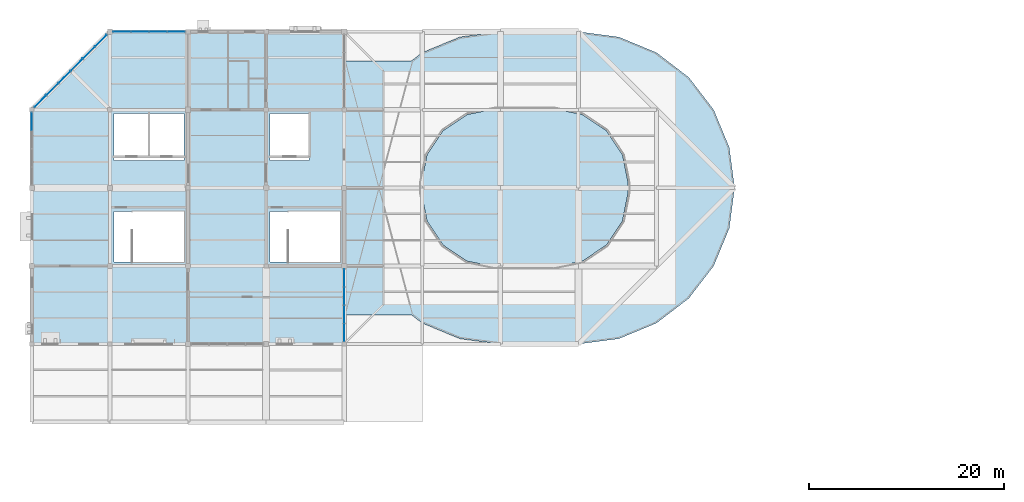
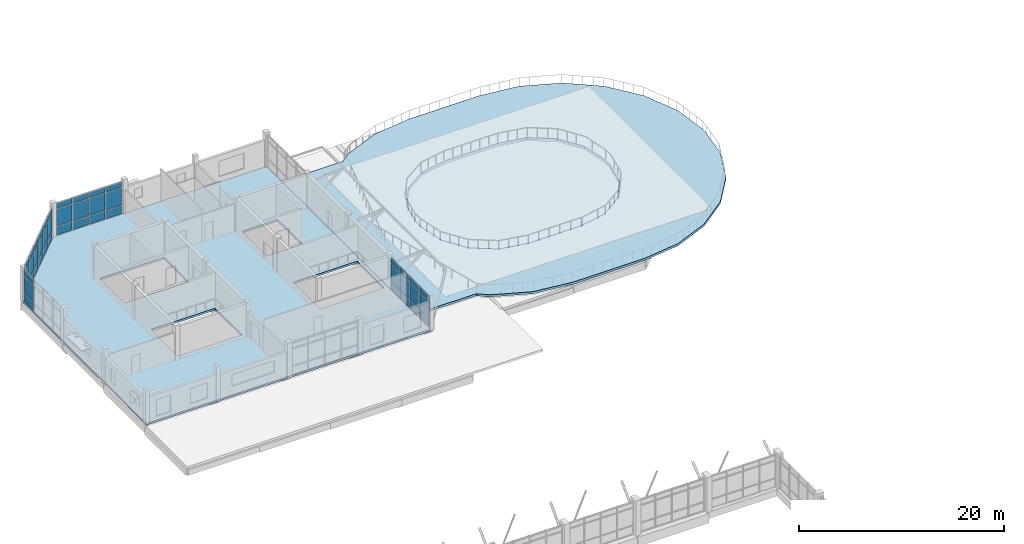
# One storey, part 36 of 44: 45 plates, 3 slabs, 4 elements without a shape of their own.
"""IFC4 building model written with IfcOpenShell, lengths in metres."""

from ifc_helpers import new_model, si_unit, direction, frame, origin, origin_2d, place, context, subcontext, project, spatial, polyline, rectangle, outline, extrude, material, layer, layer_set, type_object, element, aggregate, save


model = new_model("IFC4")

# Units and contexts
model_context = context("Model", 3, precision=1e-05, world=origin(), true_north=direction((0.0, 1.0)))
body_context = subcontext(model_context, "Body", "Model", "MODEL_VIEW")
ifc_project = project(units=[si_unit("LENGTHUNIT", "METRE"), si_unit("AREAUNIT", "SQUARE_METRE"), si_unit("VOLUMEUNIT", "CUBIC_METRE"), si_unit("PLANEANGLEUNIT", "RADIAN"), si_unit("MASSUNIT", "GRAM", prefix="KILO")], contexts=[model_context])

# Site, building, storey
site_placement = place(None, origin())
site = spatial("IfcSite", under=ifc_project, at=site_placement, CompositionType="ELEMENT")
building_placement = place(site_placement, origin())
building = spatial("IfcBuilding", under=site, at=building_placement, Name="Tenunan Teduh Sports Hall", CompositionType="ELEMENT")
storey_placement = place(building_placement, frame((0.0, 0.0, 19.199951171875)))
storey = spatial("IfcBuildingStorey", under=building, at=storey_placement, Name="L04", CompositionType="ELEMENT", Elevation=19.199951171875)

# Curtain wall, plates
ifc_material_1 = material(Name="Anodised aluminium", Category="aluminium")
curtain_wall_type = type_object("IfcCurtainWallType", Name="CW-UNIT-2", PredefinedType="NOTDEFINED", material=ifc_material_1)
curtain_wall_1_placement = place(storey_placement, origin())
curtain_wall_1 = element("IfcCurtainWall", 1, at=curtain_wall_1_placement, inside=storey, type_object=curtain_wall_type, Name="CW-CWM-175-L04-230", PredefinedType="NOTDEFINED")
ifc_material_2 = material(Name="Low-E laminated double glazing", Category="glass")
ifc_layer_1 = layer(ifc_material_2, 0.028076171875)
ifc_layer_set_1 = layer_set([ifc_layer_1], Name="Low-E laminated double glazing")
plate_type_1 = type_object("IfcPlateType", Name="CWP-GLZ-28", PredefinedType="CURTAIN_PANEL", material=ifc_layer_set_1)
plate_1_placement = place(storey_placement, frame((38.0, 87.1787109375, 1.1328125), z_axis=(0.0, 0.0, 1.0), x_axis=(0.0, 1.0, 0.0)))
plate_1 = element("IfcPlate", 2, at=plate_1_placement, type_object=plate_type_1, Name="CW-02 panel 1.2", PredefinedType="CURTAIN_PANEL", context=body_context, shape_type="SweptSolid", body=[
    extrude(rectangle(XDim=1.777587890625, YDim=0.028076171875, at=origin_2d()), origin(), (0.0, 0.0, 1.0), 2.034912109375),
])
plate_2_placement = place(storey_placement, frame((38.0, 87.1787109375, 3.232421875), z_axis=(0.0, 0.0, 1.0), x_axis=(0.0, 1.0, 0.0)))
plate_2 = element("IfcPlate", 3, at=plate_2_placement, type_object=plate_type_1, Name="CW-02 panel 1.3", PredefinedType="CURTAIN_PANEL", context=body_context, shape_type="SweptSolid", body=[
    extrude(rectangle(XDim=1.777587890625, YDim=0.028076171875, at=origin_2d()), origin(), (0.0, 0.0, 1.0), 0.62255859375),
])
plate_3_placement = place(storey_placement, frame((38.0, 89.03759765625, 1.1328125), z_axis=(0.0, 0.0, 1.0), x_axis=(0.0, 1.0, 0.0)))
plate_3 = element("IfcPlate", 4, at=plate_3_placement, type_object=plate_type_1, Name="CW-02 panel 2.2", PredefinedType="CURTAIN_PANEL", context=body_context, shape_type="SweptSolid", body=[
    extrude(rectangle(XDim=1.81005859375, YDim=0.028076171875, at=origin_2d()), origin(), (0.0, 0.0, 1.0), 2.034912109375),
])
plate_4_placement = place(storey_placement, frame((38.0, 89.03759765625, 3.232421875), z_axis=(0.0, 0.0, 1.0), x_axis=(0.0, 1.0, 0.0)))
plate_4 = element("IfcPlate", 5, at=plate_4_placement, type_object=plate_type_1, Name="CW-02 panel 2.3", PredefinedType="CURTAIN_PANEL", context=body_context, shape_type="SweptSolid", body=[
    extrude(rectangle(XDim=1.81005859375, YDim=0.028076171875, at=origin_2d()), origin(), (0.0, 0.0, 1.0), 0.62255859375),
])
plate_5_placement = place(storey_placement, frame((38.0, 90.91259765625, 1.1328125), z_axis=(0.0, 0.0, 1.0), x_axis=(0.0, 1.0, 0.0)))
plate_5 = element("IfcPlate", 6, at=plate_5_placement, type_object=plate_type_1, Name="CW-02 panel 3.2", PredefinedType="CURTAIN_PANEL", context=body_context, shape_type="SweptSolid", body=[
    extrude(rectangle(XDim=1.81005859375, YDim=0.028076171875, at=origin_2d()), origin(), (0.0, 0.0, 1.0), 2.034912109375),
])
plate_6_placement = place(storey_placement, frame((38.0, 90.91259765625, 3.232421875), z_axis=(0.0, 0.0, 1.0), x_axis=(0.0, 1.0, 0.0)))
plate_6 = element("IfcPlate", 7, at=plate_6_placement, type_object=plate_type_1, Name="CW-02 panel 3.3", PredefinedType="CURTAIN_PANEL", context=body_context, shape_type="SweptSolid", body=[
    extrude(rectangle(XDim=1.81005859375, YDim=0.028076171875, at=origin_2d()), origin(), (0.0, 0.0, 1.0), 0.62255859375),
])
plate_7_placement = place(storey_placement, frame((38.0, 92.771240234375, 1.1328125), z_axis=(0.0, 0.0, 1.0), x_axis=(0.0, 1.0, 0.0)))
plate_7 = element("IfcPlate", 8, at=plate_7_placement, type_object=plate_type_1, Name="CW-02 panel 4.2", PredefinedType="CURTAIN_PANEL", context=body_context, shape_type="SweptSolid", body=[
    extrude(rectangle(XDim=1.777587890625, YDim=0.028076171875, at=origin_2d()), origin(), (0.0, 0.0, 1.0), 2.034912109375),
])
plate_8_placement = place(storey_placement, frame((38.0, 92.771240234375, 3.232421875), z_axis=(0.0, 0.0, 1.0), x_axis=(0.0, 1.0, 0.0)))
plate_8 = element("IfcPlate", 9, at=plate_8_placement, type_object=plate_type_1, Name="CW-02 panel 4.3", PredefinedType="CURTAIN_PANEL", context=body_context, shape_type="SweptSolid", body=[
    extrude(rectangle(XDim=1.777587890625, YDim=0.028076171875, at=origin_2d()), origin(), (0.0, 0.0, 1.0), 0.62255859375),
])

curtain_wall_2_placement = place(storey_placement, origin())
curtain_wall_2 = element("IfcCurtainWall", 10, at=curtain_wall_2_placement, inside=storey, type_object=curtain_wall_type, Name="CW-CWM-200-L04-232", PredefinedType="NOTDEFINED")
plate_9_placement = place(storey_placement, frame((15.226806640625, 118.0, 1.13525390625), z_axis=(0.0, 0.0, 1.0), x_axis=(1.0, 0.0, 0.0)))
plate_9 = element("IfcPlate", 11, at=plate_9_placement, type_object=plate_type_1, Name="CW-02 panel 1.2", PredefinedType="CURTAIN_PANEL", context=body_context, shape_type="SweptSolid", body=[
    extrude(rectangle(XDim=1.763671875, YDim=0.028076171875, at=origin_2d()), origin(), (0.0, 0.0, 1.0), 2.030029296875),
])
plate_10_placement = place(storey_placement, frame((15.226806640625, 118.0, 3.23486328125), z_axis=(0.0, 0.0, 1.0), x_axis=(1.0, 0.0, 0.0)))
plate_10 = element("IfcPlate", 12, at=plate_10_placement, type_object=plate_type_1, Name="CW-02 panel 1.3", PredefinedType="CURTAIN_PANEL", context=body_context, shape_type="SweptSolid", body=[
    extrude(rectangle(XDim=1.763671875, YDim=0.028076171875, at=origin_2d()), origin(), (0.0, 0.0, 1.0), 0.614990234375),
])
plate_11_placement = place(storey_placement, frame((17.078125, 118.0, 1.13525390625), z_axis=(0.0, 0.0, 1.0), x_axis=(1.0, 0.0, 0.0)))
plate_11 = element("IfcPlate", 13, at=plate_11_placement, type_object=plate_type_1, Name="CW-02 panel 2.2", PredefinedType="CURTAIN_PANEL", context=body_context, shape_type="SweptSolid", body=[
    extrude(rectangle(XDim=1.798828125, YDim=0.028076171875, at=origin_2d()), origin(), (0.0, 0.0, 1.0), 2.030029296875),
])
plate_12_placement = place(storey_placement, frame((17.078125, 118.0, 3.23486328125), z_axis=(0.0, 0.0, 1.0), x_axis=(1.0, 0.0, 0.0)))
plate_12 = element("IfcPlate", 14, at=plate_12_placement, type_object=plate_type_1, Name="CW-02 panel 2.3", PredefinedType="CURTAIN_PANEL", context=body_context, shape_type="SweptSolid", body=[
    extrude(rectangle(XDim=1.798828125, YDim=0.028076171875, at=origin_2d()), origin(), (0.0, 0.0, 1.0), 0.614990234375),
])
plate_13_placement = place(storey_placement, frame((18.94677734375, 118.0, 1.13525390625), z_axis=(0.0, 0.0, 1.0), x_axis=(1.0, 0.0, 0.0)))
plate_13 = element("IfcPlate", 15, at=plate_13_placement, type_object=plate_type_1, Name="CW-02 panel 3.2", PredefinedType="CURTAIN_PANEL", context=body_context, shape_type="SweptSolid", body=[
    extrude(rectangle(XDim=1.798828125, YDim=0.028076171875, at=origin_2d()), origin(), (0.0, 0.0, 1.0), 2.030029296875),
])
plate_14_placement = place(storey_placement, frame((18.94677734375, 118.0, 3.23486328125), z_axis=(0.0, 0.0, 1.0), x_axis=(1.0, 0.0, 0.0)))
plate_14 = element("IfcPlate", 16, at=plate_14_placement, type_object=plate_type_1, Name="CW-02 panel 3.3", PredefinedType="CURTAIN_PANEL", context=body_context, shape_type="SweptSolid", body=[
    extrude(rectangle(XDim=1.798828125, YDim=0.028076171875, at=origin_2d()), origin(), (0.0, 0.0, 1.0), 0.614990234375),
])
plate_15_placement = place(storey_placement, frame((20.798095703125, 118.0, 1.13525390625), z_axis=(0.0, 0.0, 1.0), x_axis=(1.0, 0.0, 0.0)))
plate_15 = element("IfcPlate", 17, at=plate_15_placement, type_object=plate_type_1, Name="CW-02 panel 4.2", PredefinedType="CURTAIN_PANEL", context=body_context, shape_type="SweptSolid", body=[
    extrude(rectangle(XDim=1.763671875, YDim=0.028076171875, at=origin_2d()), origin(), (0.0, 0.0, 1.0), 2.030029296875),
])
plate_16_placement = place(storey_placement, frame((20.798095703125, 118.0, 3.23486328125), z_axis=(0.0, 0.0, 1.0), x_axis=(1.0, 0.0, 0.0)))
plate_16 = element("IfcPlate", 18, at=plate_16_placement, type_object=plate_type_1, Name="CW-02 panel 4.3", PredefinedType="CURTAIN_PANEL", context=body_context, shape_type="SweptSolid", body=[
    extrude(rectangle(XDim=1.763671875, YDim=0.028076171875, at=origin_2d()), origin(), (0.0, 0.0, 1.0), 0.614990234375),
])

curtain_wall_3_placement = place(storey_placement, origin())
curtain_wall_3 = element("IfcCurtainWall", 19, at=curtain_wall_3_placement, inside=storey, type_object=curtain_wall_type, Name="CW-CWM-175-L04-234", PredefinedType="NOTDEFINED")
plate_17_placement = place(storey_placement, frame((6.0, 108.818115234375, 1.1328125), z_axis=(0.0, 0.0, 1.0), x_axis=(0.0, 1.0, 0.0)))
plate_17 = element("IfcPlate", 20, at=plate_17_placement, type_object=plate_type_1, Name="CW-02 panel 4.2", PredefinedType="CURTAIN_PANEL", context=body_context, shape_type="SweptSolid", body=[
    extrude(rectangle(XDim=1.78369140625, YDim=0.028076171875, at=origin_2d()), origin(), (0.0, 0.0, 1.0), 2.034912109375),
])
plate_18_placement = place(storey_placement, frame((6.0, 108.818115234375, 3.232421875), z_axis=(0.0, 0.0, 1.0), x_axis=(0.0, 1.0, 0.0)))
plate_18 = element("IfcPlate", 21, at=plate_18_placement, type_object=plate_type_1, Name="CW-02 panel 4.3", PredefinedType="CURTAIN_PANEL", context=body_context, shape_type="SweptSolid", body=[
    extrude(rectangle(XDim=1.78369140625, YDim=0.028076171875, at=origin_2d()), origin(), (0.0, 0.0, 1.0), 0.62255859375),
])

curtain_wall_4_placement = place(storey_placement, origin())
curtain_wall_4 = element("IfcCurtainWall", 22, at=curtain_wall_4_placement, inside=storey, type_object=curtain_wall_type, Name="CW-CWM-220-L04-233", PredefinedType="NOTDEFINED")
ifc_material_3 = material(Name="Solar-control laminated glazing", Category="glass")
ifc_layer_2 = layer(ifc_material_3, 0.031982421875)
ifc_layer_set_2 = layer_set([ifc_layer_2], Name="Solar-control laminated glazing")
plate_type_2 = type_object("IfcPlateType", Name="CWP-GLZ-32", PredefinedType="CURTAIN_PANEL", material=ifc_layer_set_2)
plate_19_placement = place(storey_placement, frame((6.87255859375, 110.872314453125, 1.1376953125), z_axis=(0.0, 0.0, 1.0), x_axis=(0.707097321497, 0.707116240749, 0.0)))
plate_19 = element("IfcPlate", 23, at=plate_19_placement, type_object=plate_type_2, Name="CW-02 panel 1.2", PredefinedType="CURTAIN_PANEL", context=body_context, shape_type="SweptSolid", body=[
    extrude(rectangle(XDim=1.6494140625, YDim=0.031982421875, at=origin_2d()), origin(), (0.0, 0.0, 1.0), 2.02490234375),
])
plate_20_placement = place(storey_placement, frame((6.87255859375, 110.872314453125, 3.237548828125), z_axis=(0.0, 0.0, 1.0), x_axis=(0.707097321497, 0.707116240749, 0.0)))
plate_20 = element("IfcPlate", 24, at=plate_20_placement, type_object=plate_type_2, Name="CW-02 panel 1.3", PredefinedType="CURTAIN_PANEL", context=body_context, shape_type="SweptSolid", body=[
    extrude(rectangle(XDim=1.6494140625, YDim=0.031982421875, at=origin_2d()), origin(), (0.0, 0.0, 1.0), 0.607421875),
])
plate_21_placement = place(storey_placement, frame((8.10498046875, 112.10498046875, 1.1376953125), z_axis=(0.0, 0.0, 1.0), x_axis=(0.707097321497, 0.707116240749, 0.0)))
plate_21 = element("IfcPlate", 25, at=plate_21_placement, type_object=plate_type_2, Name="CW-02 panel 2.2", PredefinedType="CURTAIN_PANEL", context=body_context, shape_type="SweptSolid", body=[
    extrude(rectangle(XDim=1.686767578125, YDim=0.031982421875, at=origin_2d()), origin(), (0.0, 0.0, 1.0), 2.02490234375),
])
plate_22_placement = place(storey_placement, frame((8.10498046875, 112.10498046875, 3.237548828125), z_axis=(0.0, 0.0, 1.0), x_axis=(0.707097321497, 0.707116240749, 0.0)))
plate_22 = element("IfcPlate", 26, at=plate_22_placement, type_object=plate_type_2, Name="CW-02 panel 2.3", PredefinedType="CURTAIN_PANEL", context=body_context, shape_type="SweptSolid", body=[
    extrude(rectangle(XDim=1.686767578125, YDim=0.031982421875, at=origin_2d()), origin(), (0.0, 0.0, 1.0), 0.607421875),
])
plate_23_placement = place(storey_placement, frame((9.350830078125, 113.350830078125, 1.1376953125), z_axis=(0.0, 0.0, 1.0), x_axis=(0.707097321497, 0.707116240749, 0.0)))
plate_23 = element("IfcPlate", 27, at=plate_23_placement, type_object=plate_type_2, Name="CW-02 panel 3.2", PredefinedType="CURTAIN_PANEL", context=body_context, shape_type="SweptSolid", body=[
    extrude(rectangle(XDim=1.686767578125, YDim=0.031982421875, at=origin_2d()), origin(), (0.0, 0.0, 1.0), 2.02490234375),
])
plate_24_placement = place(storey_placement, frame((9.350830078125, 113.350830078125, 3.237548828125), z_axis=(0.0, 0.0, 1.0), x_axis=(0.707097321497, 0.707116240749, 0.0)))
plate_24 = element("IfcPlate", 28, at=plate_24_placement, type_object=plate_type_2, Name="CW-02 panel 3.3", PredefinedType="CURTAIN_PANEL", context=body_context, shape_type="SweptSolid", body=[
    extrude(rectangle(XDim=1.686767578125, YDim=0.031982421875, at=origin_2d()), origin(), (0.0, 0.0, 1.0), 0.607421875),
])
plate_25_placement = place(storey_placement, frame((10.5966796875, 114.5966796875, 1.1376953125), z_axis=(0.0, 0.0, 1.0), x_axis=(0.707097321497, 0.707116240749, 0.0)))
plate_25 = element("IfcPlate", 29, at=plate_25_placement, type_object=plate_type_2, Name="CW-02 panel 4.2", PredefinedType="CURTAIN_PANEL", context=body_context, shape_type="SweptSolid", body=[
    extrude(rectangle(XDim=1.686767578125, YDim=0.031982421875, at=origin_2d()), origin(), (0.0, 0.0, 1.0), 2.02490234375),
])
plate_26_placement = place(storey_placement, frame((10.5966796875, 114.5966796875, 3.237548828125), z_axis=(0.0, 0.0, 1.0), x_axis=(0.707097321497, 0.707116240749, 0.0)))
plate_26 = element("IfcPlate", 30, at=plate_26_placement, type_object=plate_type_2, Name="CW-02 panel 4.3", PredefinedType="CURTAIN_PANEL", context=body_context, shape_type="SweptSolid", body=[
    extrude(rectangle(XDim=1.686767578125, YDim=0.031982421875, at=origin_2d()), origin(), (0.0, 0.0, 1.0), 0.607421875),
])
plate_27_placement = place(storey_placement, frame((11.842529296875, 115.842529296875, 1.1376953125), z_axis=(0.0, 0.0, 1.0), x_axis=(0.707097321497, 0.707116240749, 0.0)))
plate_27 = element("IfcPlate", 31, at=plate_27_placement, type_object=plate_type_2, Name="CW-02 panel 5.2", PredefinedType="CURTAIN_PANEL", context=body_context, shape_type="SweptSolid", body=[
    extrude(rectangle(XDim=1.686767578125, YDim=0.031982421875, at=origin_2d()), origin(), (0.0, 0.0, 1.0), 2.02490234375),
])
plate_28_placement = place(storey_placement, frame((11.842529296875, 115.842529296875, 3.237548828125), z_axis=(0.0, 0.0, 1.0), x_axis=(0.707097321497, 0.707116240749, 0.0)))
plate_28 = element("IfcPlate", 32, at=plate_28_placement, type_object=plate_type_2, Name="CW-02 panel 5.3", PredefinedType="CURTAIN_PANEL", context=body_context, shape_type="SweptSolid", body=[
    extrude(rectangle(XDim=1.686767578125, YDim=0.031982421875, at=origin_2d()), origin(), (0.0, 0.0, 1.0), 0.607421875),
])
plate_29_placement = place(storey_placement, frame((13.074951171875, 117.0751953125, 1.1376953125), z_axis=(0.0, 0.0, 1.0), x_axis=(0.707097321497, 0.707116240749, 0.0)))
plate_29 = element("IfcPlate", 33, at=plate_29_placement, type_object=plate_type_2, Name="CW-02 panel 6.2", PredefinedType="CURTAIN_PANEL", context=body_context, shape_type="SweptSolid", body=[
    extrude(rectangle(XDim=1.6494140625, YDim=0.031982421875, at=origin_2d()), origin(), (0.0, 0.0, 1.0), 2.02490234375),
])
plate_30_placement = place(storey_placement, frame((13.074951171875, 117.0751953125, 3.237548828125), z_axis=(0.0, 0.0, 1.0), x_axis=(0.707097321497, 0.707116240749, 0.0)))
plate_30 = element("IfcPlate", 34, at=plate_30_placement, type_object=plate_type_2, Name="CW-02 panel 6.3", PredefinedType="CURTAIN_PANEL", context=body_context, shape_type="SweptSolid", body=[
    extrude(rectangle(XDim=1.6494140625, YDim=0.031982421875, at=origin_2d()), origin(), (0.0, 0.0, 1.0), 0.607421875),
])

# Plate
ifc_material_4 = material(Name="Insulated aluminium spandrel panel", Category="aluminium")
ifc_layer_3 = layer(ifc_material_4, 0.044921875)
ifc_layer_set_3 = layer_set([ifc_layer_3], Name="Insulated aluminium spandrel panel")
plate_type_3 = type_object("IfcPlateType", Name="CWP-SPN-45", PredefinedType="CURTAIN_PANEL", material=ifc_layer_set_3)
plate_31_placement = place(storey_placement, frame((38.0, 87.1787109375, 0.065185546875), z_axis=(0.0, 0.0, 1.0), x_axis=(0.0, 1.0, 0.0)))
plate_31 = element("IfcPlate", 35, at=plate_31_placement, type_object=plate_type_3, Name="CW-02 panel 1.1", PredefinedType="CURTAIN_PANEL", context=body_context, shape_type="SweptSolid", body=[
    extrude(rectangle(XDim=1.777587890625, YDim=0.028076171875, at=origin_2d()), origin(), (0.0, 0.0, 1.0), 1.00244140625),
])

plate_32_placement = place(storey_placement, frame((38.0, 89.03759765625, 0.065185546875), z_axis=(0.0, 0.0, 1.0), x_axis=(0.0, 1.0, 0.0)))
plate_32 = element("IfcPlate", 36, at=plate_32_placement, type_object=plate_type_3, Name="CW-02 panel 2.1", PredefinedType="CURTAIN_PANEL", context=body_context, shape_type="SweptSolid", body=[
    extrude(rectangle(XDim=1.81005859375, YDim=0.028076171875, at=origin_2d()), origin(), (0.0, 0.0, 1.0), 1.00244140625),
])

plate_33_placement = place(storey_placement, frame((38.0, 90.91259765625, 0.065185546875), z_axis=(0.0, 0.0, 1.0), x_axis=(0.0, 1.0, 0.0)))
plate_33 = element("IfcPlate", 37, at=plate_33_placement, type_object=plate_type_3, Name="CW-02 panel 3.1", PredefinedType="CURTAIN_PANEL", context=body_context, shape_type="SweptSolid", body=[
    extrude(rectangle(XDim=1.81005859375, YDim=0.028076171875, at=origin_2d()), origin(), (0.0, 0.0, 1.0), 1.00244140625),
])

plate_34_placement = place(storey_placement, frame((38.0, 92.771240234375, 0.065185546875), z_axis=(0.0, 0.0, 1.0), x_axis=(0.0, 1.0, 0.0)))
plate_34 = element("IfcPlate", 38, at=plate_34_placement, type_object=plate_type_3, Name="CW-02 panel 4.1", PredefinedType="CURTAIN_PANEL", context=body_context, shape_type="SweptSolid", body=[
    extrude(rectangle(XDim=1.777587890625, YDim=0.028076171875, at=origin_2d()), origin(), (0.0, 0.0, 1.0), 1.00244140625),
])

aggregate(curtain_wall_1, [plate_31, plate_1, plate_2, plate_32, plate_3, plate_4, plate_33, plate_5, plate_6, plate_34, plate_7, plate_8])

plate_35_placement = place(storey_placement, frame((15.226806640625, 118.0, 0.070068359375), z_axis=(0.0, 0.0, 1.0), x_axis=(1.0, 0.0, 0.0)))
plate_35 = element("IfcPlate", 39, at=plate_35_placement, type_object=plate_type_3, Name="CW-02 panel 1.1", PredefinedType="CURTAIN_PANEL", context=body_context, shape_type="SweptSolid", body=[
    extrude(rectangle(XDim=1.763671875, YDim=0.028076171875, at=origin_2d()), origin(), (0.0, 0.0, 1.0), 0.9951171875),
])

plate_36_placement = place(storey_placement, frame((17.078125, 118.0, 0.070068359375), z_axis=(0.0, 0.0, 1.0), x_axis=(1.0, 0.0, 0.0)))
plate_36 = element("IfcPlate", 40, at=plate_36_placement, type_object=plate_type_3, Name="CW-02 panel 2.1", PredefinedType="CURTAIN_PANEL", context=body_context, shape_type="SweptSolid", body=[
    extrude(rectangle(XDim=1.798828125, YDim=0.028076171875, at=origin_2d()), origin(), (0.0, 0.0, 1.0), 0.9951171875),
])

plate_37_placement = place(storey_placement, frame((18.94677734375, 118.0, 0.070068359375), z_axis=(0.0, 0.0, 1.0), x_axis=(1.0, 0.0, 0.0)))
plate_37 = element("IfcPlate", 41, at=plate_37_placement, type_object=plate_type_3, Name="CW-02 panel 3.1", PredefinedType="CURTAIN_PANEL", context=body_context, shape_type="SweptSolid", body=[
    extrude(rectangle(XDim=1.798828125, YDim=0.028076171875, at=origin_2d()), origin(), (0.0, 0.0, 1.0), 0.9951171875),
])

plate_38_placement = place(storey_placement, frame((20.798095703125, 118.0, 0.070068359375), z_axis=(0.0, 0.0, 1.0), x_axis=(1.0, 0.0, 0.0)))
plate_38 = element("IfcPlate", 42, at=plate_38_placement, type_object=plate_type_3, Name="CW-02 panel 4.1", PredefinedType="CURTAIN_PANEL", context=body_context, shape_type="SweptSolid", body=[
    extrude(rectangle(XDim=1.763671875, YDim=0.028076171875, at=origin_2d()), origin(), (0.0, 0.0, 1.0), 0.9951171875),
])

aggregate(curtain_wall_2, [plate_35, plate_9, plate_10, plate_36, plate_11, plate_12, plate_37, plate_13, plate_14, plate_38, plate_15, plate_16])

plate_39_placement = place(storey_placement, frame((6.87255859375, 110.872314453125, 0.0751953125), z_axis=(0.0, 0.0, 1.0), x_axis=(0.707097321497, 0.707116240749, 0.0)))
plate_39 = element("IfcPlate", 43, at=plate_39_placement, type_object=plate_type_3, Name="CW-02 panel 1.1", PredefinedType="CURTAIN_PANEL", context=body_context, shape_type="SweptSolid", body=[
    extrude(rectangle(XDim=1.6494140625, YDim=0.031982421875, at=origin_2d()), origin(), (0.0, 0.0, 1.0), 0.987548828125),
])

plate_40_placement = place(storey_placement, frame((8.10498046875, 112.10498046875, 0.0751953125), z_axis=(0.0, 0.0, 1.0), x_axis=(0.707097321497, 0.707116240749, 0.0)))
plate_40 = element("IfcPlate", 44, at=plate_40_placement, type_object=plate_type_3, Name="CW-02 panel 2.1", PredefinedType="CURTAIN_PANEL", context=body_context, shape_type="SweptSolid", body=[
    extrude(rectangle(XDim=1.686767578125, YDim=0.031982421875, at=origin_2d()), origin(), (0.0, 0.0, 1.0), 0.987548828125),
])

plate_41_placement = place(storey_placement, frame((9.350830078125, 113.350830078125, 0.0751953125), z_axis=(0.0, 0.0, 1.0), x_axis=(0.707097321497, 0.707116240749, 0.0)))
plate_41 = element("IfcPlate", 45, at=plate_41_placement, type_object=plate_type_3, Name="CW-02 panel 3.1", PredefinedType="CURTAIN_PANEL", context=body_context, shape_type="SweptSolid", body=[
    extrude(rectangle(XDim=1.686767578125, YDim=0.031982421875, at=origin_2d()), origin(), (0.0, 0.0, 1.0), 0.987548828125),
])

plate_42_placement = place(storey_placement, frame((10.5966796875, 114.5966796875, 0.0751953125), z_axis=(0.0, 0.0, 1.0), x_axis=(0.707097321497, 0.707116240749, 0.0)))
plate_42 = element("IfcPlate", 46, at=plate_42_placement, type_object=plate_type_3, Name="CW-02 panel 4.1", PredefinedType="CURTAIN_PANEL", context=body_context, shape_type="SweptSolid", body=[
    extrude(rectangle(XDim=1.686767578125, YDim=0.031982421875, at=origin_2d()), origin(), (0.0, 0.0, 1.0), 0.987548828125),
])

plate_43_placement = place(storey_placement, frame((11.842529296875, 115.842529296875, 0.0751953125), z_axis=(0.0, 0.0, 1.0), x_axis=(0.707097321497, 0.707116240749, 0.0)))
plate_43 = element("IfcPlate", 47, at=plate_43_placement, type_object=plate_type_3, Name="CW-02 panel 5.1", PredefinedType="CURTAIN_PANEL", context=body_context, shape_type="SweptSolid", body=[
    extrude(rectangle(XDim=1.686767578125, YDim=0.031982421875, at=origin_2d()), origin(), (0.0, 0.0, 1.0), 0.987548828125),
])

plate_44_placement = place(storey_placement, frame((13.074951171875, 117.0751953125, 0.0751953125), z_axis=(0.0, 0.0, 1.0), x_axis=(0.707097321497, 0.707116240749, 0.0)))
plate_44 = element("IfcPlate", 48, at=plate_44_placement, type_object=plate_type_3, Name="CW-02 panel 6.1", PredefinedType="CURTAIN_PANEL", context=body_context, shape_type="SweptSolid", body=[
    extrude(rectangle(XDim=1.6494140625, YDim=0.031982421875, at=origin_2d()), origin(), (0.0, 0.0, 1.0), 0.987548828125),
])

aggregate(curtain_wall_4, [plate_39, plate_19, plate_20, plate_40, plate_21, plate_22, plate_41, plate_23, plate_24, plate_42, plate_25, plate_26, plate_43, plate_27, plate_28, plate_44, plate_29, plate_30])

plate_45_placement = place(storey_placement, frame((6.0, 108.818115234375, 0.065185546875), z_axis=(0.0, 0.0, 1.0), x_axis=(0.0, 1.0, 0.0)))
plate_45 = element("IfcPlate", 49, at=plate_45_placement, type_object=plate_type_3, Name="CW-02 panel 4.1", PredefinedType="CURTAIN_PANEL", context=body_context, shape_type="SweptSolid", body=[
    extrude(rectangle(XDim=1.78369140625, YDim=0.028076171875, at=origin_2d()), origin(), (0.0, 0.0, 1.0), 1.00244140625),
])

aggregate(curtain_wall_3, [plate_45, plate_17, plate_18])

# Slabs
ifc_material_5 = material(Name="Concrete C40/50", Category="concrete")
ifc_layer_4 = layer(ifc_material_5, 0.239990234375)
ifc_layer_set_4 = layer_set([ifc_layer_4], Name="Concrete C40/50")
slab_type_1 = type_object("IfcSlabType", Name="SLB-FLR-240", PredefinedType="FLOOR", material=ifc_layer_set_4)
slab_1_placement = place(storey_placement, frame((0.0, 0.0, -0.239990234375)))
element("IfcSlab", 50, at=slab_1_placement, inside=storey, type_object=slab_type_1, Name="SL-L04-PAV", PredefinedType="FLOOR", context=body_context, shape_type="SweptSolid", body=[
    extrude(outline(polyline([(6.0, 86.0), (38.0, 86.0), (38.0, 118.0), (14.0, 118.0), (6.0, 110.0), (6.0, 86.0)]), holes=[polyline([(14.39990234375, 94.39990234375), (21.60009765625, 94.39990234375), (21.60009765625, 99.60009765625), (14.39990234375, 99.60009765625), (14.39990234375, 94.39990234375)]), polyline([(14.39990234375, 104.800048828125), (21.60009765625, 104.800048828125), (21.60009765625, 109.60009765625), (14.39990234375, 109.60009765625), (14.39990234375, 104.800048828125)]), polyline([(30.39990234375, 94.39990234375), (37.60009765625, 94.39990234375), (37.60009765625, 99.60009765625), (30.39990234375, 99.60009765625), (30.39990234375, 94.39990234375)]), polyline([(30.39990234375, 104.800048828125), (34.39990234375, 104.800048828125), (34.39990234375, 109.60009765625), (30.39990234375, 109.60009765625), (30.39990234375, 104.800048828125)])]), origin(), (0.0, 0.0, 1.0), 0.239990234375),
])
ifc_material_6 = material(Name="Concrete C40/50", Category="concrete")
ifc_layer_5 = layer(ifc_material_6, 0.260009765625)
ifc_layer_set_5 = layer_set([ifc_layer_5], Name="Concrete C40/50")
slab_type_2 = type_object("IfcSlabType", Name="SLB-FLR-260", PredefinedType="FLOOR", material=ifc_layer_set_5)
slab_2_placement = place(storey_placement, frame((0.0, 0.0, -0.260009765625)))
element("IfcSlab", 51, at=slab_2_placement, inside=storey, type_object=slab_type_2, Name="Stadium Oval Rooftop Running Track Deck", PredefinedType="FLOOR", context=body_context, shape_type="SweptSolid", body=[
    extrude(outline(polyline([(38.0, 89.0), (38.0, 102.0), (38.0, 115.0), (44.884033203125, 115.0), (46.0, 115.85595703125), (49.85888671875, 117.455078125), (54.0, 118.0), (62.0, 118.0), (66.14111328125, 117.455078125), (70.0, 115.85595703125), (73.31396484375, 113.31396484375), (75.85595703125, 110.0), (77.455078125, 106.14111328125), (78.0, 102.0), (77.455078125, 97.85888671875), (75.85595703125, 94.0), (73.31396484375, 90.68603515625), (70.0, 88.14404296875), (66.14111328125, 86.544921875), (62.0, 86.0), (54.0, 86.0), (49.85888671875, 86.544921875), (46.0, 88.14404296875), (44.884033203125, 89.0), (38.0, 89.0)]), holes=[polyline([(59.5, 93.89990234375), (62.407958984375, 94.47900390625), (64.8740234375, 96.1259765625), (66.52099609375, 98.592041015625), (67.10009765625, 101.5), (67.10009765625, 102.5), (66.52099609375, 105.407958984375), (64.8740234375, 107.8740234375), (62.407958984375, 109.52099609375), (59.5, 110.10009765625), (53.5, 110.10009765625), (50.592041015625, 109.52099609375), (48.1259765625, 107.8740234375), (46.47900390625, 105.407958984375), (45.89990234375, 102.5), (45.89990234375, 101.5), (46.47900390625, 98.592041015625), (48.1259765625, 96.1259765625), (50.592041015625, 94.47900390625), (53.5, 93.89990234375), (59.5, 93.89990234375)])]), origin(), (0.0, 0.0, 1.0), 0.260009765625),
])
ifc_material_7 = material(Name="Concrete C40/50", Category="concrete")
ifc_layer_6 = layer(ifc_material_7, 0.25)
ifc_layer_set_6 = layer_set([ifc_layer_6], Name="Concrete C40/50")
slab_type_3 = type_object("IfcSlabType", Name="SLB-ROOF-250", PredefinedType="ROOF", material=ifc_layer_set_6)
slab_3_placement = place(storey_placement, frame((0.0, 0.0, -0.570068359375)))
element("IfcSlab", 52, at=slab_3_placement, inside=storey, type_object=slab_type_3, Name="Oval Track Infield Acoustic Roof Deck 3", PredefinedType="ROOF", context=body_context, shape_type="SweptSolid", body=[
    extrude(outline(polyline([(53.5009765625, 93.909912109375), (50.595947265625, 94.488037109375), (48.133056640625, 96.133056640625), (46.488037109375, 98.595947265625), (45.909912109375, 101.5009765625), (45.909912109375, 102.4990234375), (46.488037109375, 105.404052734375), (48.133056640625, 107.866943359375), (50.595947265625, 109.511962890625), (53.5009765625, 110.090087890625), (59.4990234375, 110.090087890625), (62.404052734375, 109.511962890625), (64.866943359375, 107.866943359375), (66.511962890625, 105.404052734375), (67.090087890625, 102.4990234375), (67.090087890625, 101.5009765625), (66.511962890625, 98.595947265625), (64.866943359375, 96.133056640625), (62.404052734375, 94.488037109375), (59.4990234375, 93.909912109375), (53.5009765625, 93.909912109375)])), origin(), (0.0, 0.0, 1.0), 0.25),
])

save(model, "model.ifc")
